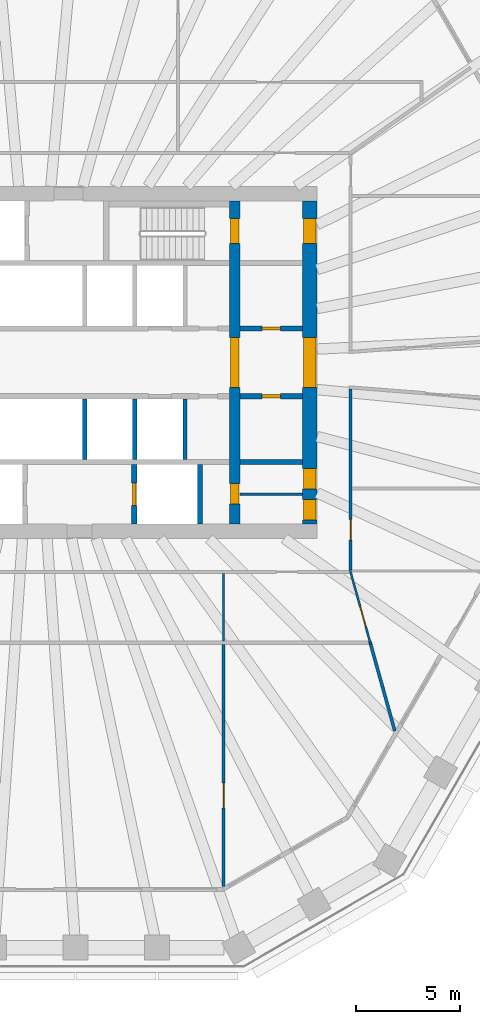
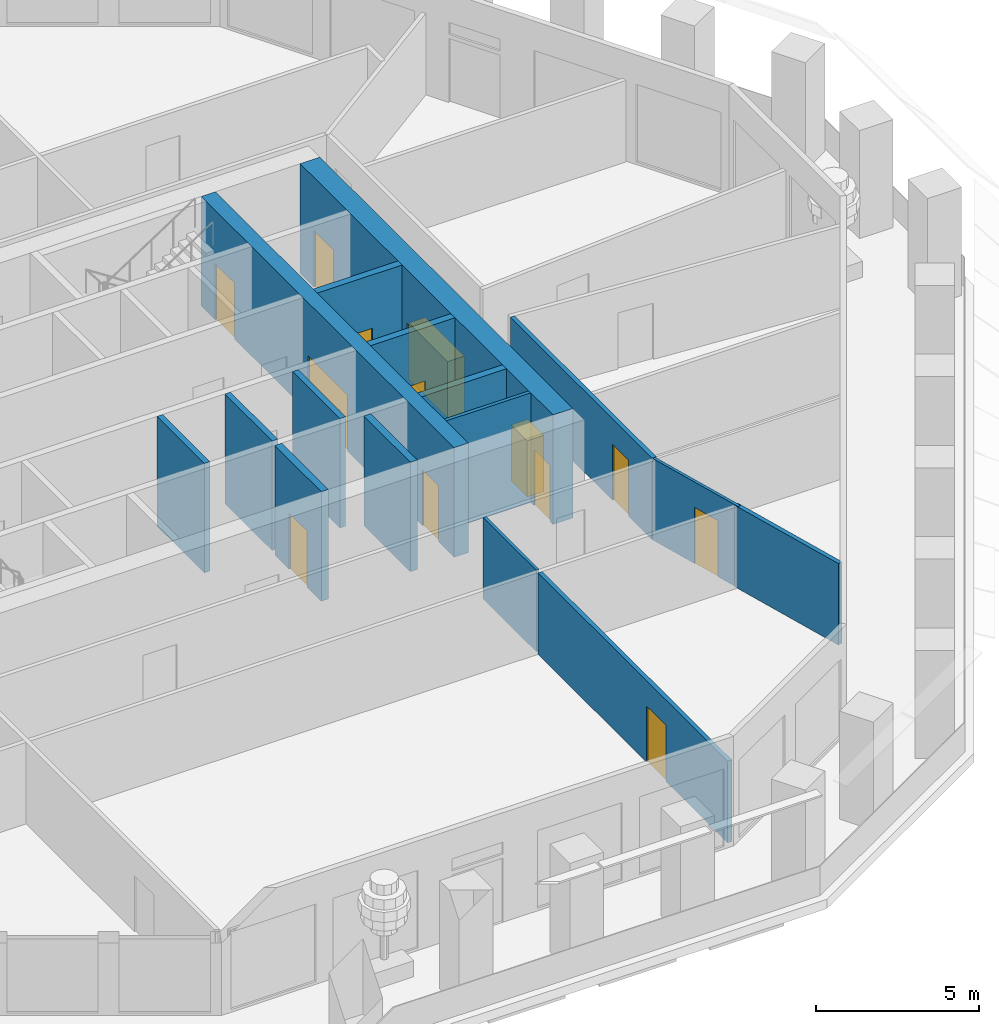
# One storey, part 5 of 12: 16 walls, 13 doors, 13 openings.
"""IFC4 building model written with IfcOpenShell, lengths in metres."""

from ifc_helpers import new_model, si_unit, direction, frame, frame_2d, origin, place, context, subcontext, project, spatial, rectangle, extrude, material, layer, layer_set, type_object, element, fill, save


model = new_model("IFC4")

# Units and contexts
model_context = context("Model", 3, precision=1e-05, world=origin(), true_north=direction((0.0, 1.0)))
body_context = subcontext(model_context, "Body", "Model", "MODEL_VIEW")
ifc_project = project(units=[si_unit("LENGTHUNIT", "METRE"), si_unit("AREAUNIT", "SQUARE_METRE"), si_unit("VOLUMEUNIT", "CUBIC_METRE"), si_unit("PLANEANGLEUNIT", "RADIAN"), si_unit("MASSUNIT", "GRAM", prefix="KILO")], contexts=[model_context])

# Site, building, storey
site_placement = place(None, origin())
site = spatial("IfcSite", under=ifc_project, at=site_placement, CompositionType="ELEMENT")
building_placement = place(site_placement, origin())
building = spatial("IfcBuilding", under=site, at=building_placement, Name="Frailejon Research Tower", CompositionType="ELEMENT")
storey_placement = place(building_placement, frame((0.0, 0.0, 193.60009765625)))
storey = spatial("IfcBuildingStorey", under=building, at=storey_placement, Name="L42", CompositionType="ELEMENT", Elevation=193.60009765625)

# Wall
ifc_material_1 = material(Name="Plasterboard on steel studs", Category="steel")
ifc_layer_1 = layer(ifc_material_1, 0.125)
ifc_layer_set_1 = layer_set([ifc_layer_1], Name="Core partition 125")
wall_type_1 = type_object("IfcWallType", Name="Core partition 125", PredefinedType="PARTITIONING", material=ifc_layer_set_1)
wall_1_placement = place(storey_placement, frame((9.85009765625, -6.324951171875, 0.0), z_axis=(0.0, 0.0, 1.0), x_axis=(1.0, 0.0, 0.0)))
element("IfcWall", 1, at=wall_1_placement, inside=storey, type_object=wall_type_1, Name="Core partition", PredefinedType="PARTITIONING", context=body_context, shape_type="SweptSolid", body=[
    extrude(rectangle(XDim=3.0, YDim=0.125, at=frame_2d((1.5, 0.0))), origin(), (0.0, 0.0, 1.0), 4.099853515625),
])

# Wall, openings, doors
ifc_material_2 = material(Name="Concrete C60/75", Category="concrete")
ifc_layer_2 = layer(ifc_material_2, 0.5)
ifc_layer_set_2 = layer_set([ifc_layer_2], Name="Core shear wall 500 C60/75")
wall_type_2 = type_object("IfcWallType", Name="Core shear wall 500 C60/75", PredefinedType="SHEAR", material=ifc_layer_set_2)
wall_2_placement = place(storey_placement, frame((9.60009765625, -7.75, 0.0), z_axis=(0.0, 0.0, 1.0), x_axis=(0.0, 1.0, 0.0)))
wall_2 = element("IfcWall", 2, at=wall_2_placement, inside=storey, type_object=wall_type_2, Name="Core shear wall", PredefinedType="SHEAR", context=body_context, shape_type="SweptSolid", body=[
    extrude(rectangle(XDim=15.5, YDim=0.5, at=frame_2d((7.75, 0.0))), origin(), (0.0, 0.0, 1.0), 4.099853515625),
])
opening_1_placement = place(wall_2_placement, frame((6.550048828125, 0.0, 0.0)))
opening_1 = element("IfcOpeningElement", 3, at=opening_1_placement, cuts=wall_2, Name="Opening D2", PredefinedType="OPENING", context=body_context, shape_type="SweptSolid", body=[
    extrude(rectangle(XDim=2.39990234375, YDim=2.10009765625, at=frame_2d((1.199951171875, 1.050048828125))), frame((0.0, 0.260009765625, 0.0), z_axis=(0.0, -1.0, 0.0), x_axis=(1.0, 0.0, 0.0)), (0.0, 0.0, 1.0), 0.52001953125),
])
opening_2_placement = place(wall_2_placement, frame((13.449951171875, 0.0, 0.0)))
opening_2 = element("IfcOpeningElement", 4, at=opening_2_placement, cuts=wall_2, Name="Opening D1", PredefinedType="OPENING", context=body_context, shape_type="SweptSolid", body=[
    extrude(rectangle(XDim=1.199951171875, YDim=2.10009765625, at=frame_2d((0.60009765625, 1.050048828125))), frame((0.0, 0.260009765625, 0.0), z_axis=(0.0, -1.0, 0.0), x_axis=(1.0, 0.0, 0.0)), (0.0, 0.0, 1.0), 0.52001953125),
])
opening_3_placement = place(wall_2_placement, frame((0.949951171875, 0.0, 0.0)))
opening_3 = element("IfcOpeningElement", 5, at=opening_3_placement, cuts=wall_2, Name="Opening D4", PredefinedType="OPENING", context=body_context, shape_type="SweptSolid", body=[
    extrude(rectangle(XDim=1.0, YDim=2.10009765625, at=frame_2d((0.5, 1.050048828125))), frame((0.0, 0.260009765625, 0.0), z_axis=(0.0, -1.0, 0.0), x_axis=(1.0, 0.0, 0.0)), (0.0, 0.0, 1.0), 0.52001953125),
])
ifc_material_3 = material(Name="Steel", Category="steel")
door_type_1 = type_object("IfcDoorType", Name="Lobby double door", OperationType="DOUBLE_DOOR_SINGLE_SWING", PredefinedType="DOOR", material=ifc_material_3)
door_1_placement = place(opening_1_placement, origin())
door_1 = element("IfcDoor", 6, at=door_1_placement, inside=storey, type_object=door_type_1, Name="Lobby door", OperationType="DOUBLE_DOOR_SINGLE_SWING", OverallHeight=2.10009765625, OverallWidth=2.39990234375, PredefinedType="DOOR", context=body_context, shape_type="SweptSolid", body=[
    extrude(rectangle(XDim=2.39990234375, YDim=2.10009765625, at=frame_2d((1.199951171875, 1.050048828125))), frame((0.0, 0.199951171875, 0.0), z_axis=(0.0, -1.0, 0.0), x_axis=(1.0, 0.0, 0.0)), (0.0, 0.0, 1.0), 0.39990234375),
])
fill(opening_1, door_1)
ifc_material_4 = material(Name="Steel", Category="steel")
door_type_2 = type_object("IfcDoorType", Name="Service door", OperationType="SINGLE_SWING_LEFT", PredefinedType="DOOR", material=ifc_material_4)
door_2_placement = place(opening_3_placement, origin())
door_2 = element("IfcDoor", 7, at=door_2_placement, inside=storey, type_object=door_type_2, Name="Riser door", OperationType="SINGLE_SWING_LEFT", OverallHeight=2.10009765625, OverallWidth=1.0, PredefinedType="DOOR", context=body_context, shape_type="SweptSolid", body=[
    extrude(rectangle(XDim=1.0, YDim=2.10009765625, at=frame_2d((0.5, 1.050048828125))), frame((0.0, 0.199951171875, 0.0), z_axis=(0.0, -1.0, 0.0), x_axis=(1.0, 0.0, 0.0)), (0.0, 0.0, 1.0), 0.39990234375),
])
fill(opening_3, door_2)
ifc_material_5 = material(Name="Steel", Category="steel")
door_type_3 = type_object("IfcDoorType", Name="Stair door", OperationType="SINGLE_SWING_LEFT", PredefinedType="DOOR", material=ifc_material_5)
door_3_placement = place(opening_2_placement, origin())
door_3 = element("IfcDoor", 8, at=door_3_placement, inside=storey, type_object=door_type_3, Name="Stair door ST3", OperationType="SINGLE_SWING_LEFT", OverallHeight=2.10009765625, OverallWidth=1.199951171875, PredefinedType="DOOR", context=body_context, shape_type="SweptSolid", body=[
    extrude(rectangle(XDim=1.199951171875, YDim=2.10009765625, at=frame_2d((0.60009765625, 1.050048828125))), frame((0.0, 0.199951171875, 0.0), z_axis=(0.0, -1.0, 0.0), x_axis=(1.0, 0.0, 0.0)), (0.0, 0.0, 1.0), 0.39990234375),
])
fill(opening_2, door_3)

ifc_material_6 = material(Name="Concrete C60/75", Category="concrete")
ifc_layer_3 = layer(ifc_material_6, 0.699951171875)
ifc_layer_set_3 = layer_set([ifc_layer_3], Name="Core shear wall 700 C60/75")
wall_type_3 = type_object("IfcWallType", Name="Core shear wall 700 C60/75", PredefinedType="SHEAR", material=ifc_layer_set_3)
wall_3_placement = place(storey_placement, frame((13.199951171875, -7.75, 0.0), z_axis=(0.0, 0.0, 1.0), x_axis=(0.0, 1.0, 0.0)))
wall_3 = element("IfcWall", 9, at=wall_3_placement, inside=storey, type_object=wall_type_3, Name="Core shear wall", PredefinedType="SHEAR", context=body_context, shape_type="SweptSolid", body=[
    extrude(rectangle(XDim=15.5, YDim=0.699951171875, at=frame_2d((7.75, 0.0))), origin(), (0.0, 0.0, 1.0), 4.099853515625),
])
opening_4_placement = place(wall_3_placement, frame((6.550048828125, 0.0, 0.0)))
opening_4 = element("IfcOpeningElement", 10, at=opening_4_placement, cuts=wall_3, Name="Opening D2", PredefinedType="OPENING", context=body_context, shape_type="SweptSolid", body=[
    extrude(rectangle(XDim=2.39990234375, YDim=2.10009765625, at=frame_2d((1.199951171875, 1.050048828125))), frame((0.0, 0.35986328125, 0.0), z_axis=(0.0, -1.0, 0.0), x_axis=(1.0, 0.0, 0.0)), (0.0, 0.0, 1.0), 0.719970703125),
])
opening_5_placement = place(wall_3_placement, frame((13.449951171875, 0.0, 0.0)))
opening_5 = element("IfcOpeningElement", 11, at=opening_5_placement, cuts=wall_3, Name="Opening D7", PredefinedType="OPENING", context=body_context, shape_type="SweptSolid", body=[
    extrude(rectangle(XDim=1.199951171875, YDim=2.10009765625, at=frame_2d((0.60009765625, 1.050048828125))), frame((0.0, 0.35986328125, 0.0), z_axis=(0.0, -1.0, 0.0), x_axis=(1.0, 0.0, 0.0)), (0.0, 0.0, 1.0), 0.719970703125),
])
opening_6_placement = place(wall_3_placement, frame((0.181396484375, 0.0, 0.0)))
opening_6 = element("IfcOpeningElement", 12, at=opening_6_placement, cuts=wall_3, Name="Opening D4", PredefinedType="OPENING", context=body_context, shape_type="SweptSolid", body=[
    extrude(rectangle(XDim=1.0, YDim=2.10009765625, at=frame_2d((0.5, 1.050048828125))), frame((0.0, 0.35986328125, 0.0), z_axis=(0.0, -1.0, 0.0), x_axis=(1.0, 0.0, 0.0)), (0.0, 0.0, 1.0), 0.719970703125),
])
opening_7_placement = place(wall_3_placement, frame((1.668701171875, 0.0, 0.0)))
opening_7 = element("IfcOpeningElement", 13, at=opening_7_placement, cuts=wall_3, Name="Opening D4", PredefinedType="OPENING", context=body_context, shape_type="SweptSolid", body=[
    extrude(rectangle(XDim=1.0, YDim=2.10009765625, at=frame_2d((0.5, 1.050048828125))), frame((0.0, 0.35986328125, 0.0), z_axis=(0.0, -1.0, 0.0), x_axis=(1.0, 0.0, 0.0)), (0.0, 0.0, 1.0), 0.719970703125),
])
door_4_placement = place(opening_4_placement, origin())
door_4 = element("IfcDoor", 14, at=door_4_placement, inside=storey, type_object=door_type_1, Name="Lobby door", OperationType="DOUBLE_DOOR_SINGLE_SWING", OverallHeight=2.10009765625, OverallWidth=2.39990234375, PredefinedType="DOOR", context=body_context, shape_type="SweptSolid", body=[
    extrude(rectangle(XDim=2.39990234375, YDim=2.10009765625, at=frame_2d((1.199951171875, 1.050048828125))), frame((0.0, 0.300048828125, 0.0), z_axis=(0.0, -1.0, 0.0), x_axis=(1.0, 0.0, 0.0)), (0.0, 0.0, 1.0), 0.60009765625),
])
fill(opening_4, door_4)
door_5_placement = place(opening_6_placement, origin())
door_5 = element("IfcDoor", 15, at=door_5_placement, inside=storey, type_object=door_type_2, Name="Store door", OperationType="SINGLE_SWING_RIGHT", OverallHeight=2.10009765625, OverallWidth=1.0, PredefinedType="DOOR", context=body_context, shape_type="SweptSolid", body=[
    extrude(rectangle(XDim=1.0, YDim=2.10009765625, at=frame_2d((0.5, 1.050048828125))), frame((0.0, 0.300048828125, 0.0), z_axis=(0.0, -1.0, 0.0), x_axis=(1.0, 0.0, 0.0)), (0.0, 0.0, 1.0), 0.60009765625),
])
fill(opening_6, door_5)
door_6_placement = place(opening_7_placement, origin())
door_6 = element("IfcDoor", 16, at=door_6_placement, inside=storey, type_object=door_type_2, Name="Store door", OperationType="SINGLE_SWING_LEFT", OverallHeight=2.10009765625, OverallWidth=1.0, PredefinedType="DOOR", context=body_context, shape_type="SweptSolid", body=[
    extrude(rectangle(XDim=1.0, YDim=2.10009765625, at=frame_2d((0.5, 1.050048828125))), frame((0.0, 0.300048828125, 0.0), z_axis=(0.0, -1.0, 0.0), x_axis=(1.0, 0.0, 0.0)), (0.0, 0.0, 1.0), 0.60009765625),
])
fill(opening_7, door_6)
ifc_material_7 = material(Name="Steel", Category="steel")
door_type_4 = type_object("IfcDoorType", Name="Stair exit door", OperationType="SINGLE_SWING_LEFT", PredefinedType="DOOR", material=ifc_material_7)
door_7_placement = place(opening_5_placement, origin())
door_7 = element("IfcDoor", 17, at=door_7_placement, inside=storey, type_object=door_type_4, Name="Stair exit door ST3", OperationType="SINGLE_SWING_RIGHT", OverallHeight=2.10009765625, OverallWidth=1.199951171875, PredefinedType="DOOR", context=body_context, shape_type="SweptSolid", body=[
    extrude(rectangle(XDim=1.199951171875, YDim=2.10009765625, at=frame_2d((0.60009765625, 1.050048828125))), frame((0.0, 0.300048828125, 0.0), z_axis=(0.0, -1.0, 0.0), x_axis=(1.0, 0.0, 0.0)), (0.0, 0.0, 1.0), 0.60009765625),
])
fill(opening_5, door_7)

# Wall, opening, door
ifc_material_8 = material(Name="Gypsum board and masonry partition", Category="masonry")
ifc_layer_4 = layer(ifc_material_8, 0.14990234375)
ifc_layer_set_4 = layer_set([ifc_layer_4], Name="Corridor wall EI 60, gypsum on steel studs 150")
wall_type_4 = type_object("IfcWallType", Name="Corridor wall EI 60, gypsum on steel studs 150", PredefinedType="PARTITIONING", material=ifc_layer_set_4)
wall_4_placement = place(storey_placement, frame((15.14990234375, -9.96630859375, 0.0), z_axis=(0.0, 0.0, 1.0), x_axis=(0.0, 1.0, 0.0)))
wall_4 = element("IfcWall", 18, at=wall_4_placement, inside=storey, type_object=wall_type_4, Name="T:IW:L42:001", PredefinedType="PARTITIONING", context=body_context, shape_type="SweptSolid", body=[
    extrude(rectangle(XDim=8.69189453125, YDim=0.14990234375, at=frame_2d((4.345947265625, 0.0))), origin(), (0.0, 0.0, 1.0), 3.0498046875),
])
opening_8_placement = place(wall_4_placement, frame((1.43359375, 0.0, 0.0)))
opening_8 = element("IfcOpeningElement", 19, at=opening_8_placement, cuts=wall_4, Name="Opening D1921", PredefinedType="OPENING", context=body_context, shape_type="SweptSolid", body=[
    extrude(rectangle(XDim=1.0, YDim=2.10009765625, at=frame_2d((0.5, 1.050048828125))), frame((0.0, 0.0849609375, 0.0), z_axis=(0.0, -1.0, 0.0), x_axis=(1.0, 0.0, 0.0)), (0.0, 0.0, 1.0), 0.169921875),
])
ifc_material_9 = material(Name="Timber door leaf", Category="wood")
door_type_5 = type_object("IfcDoorType", Name="Door single leaf, timber, steel frame 1000", OperationType="NOTDEFINED", PredefinedType="DOOR", material=ifc_material_9)
door_8_placement = place(opening_8_placement, origin())
door_8 = element("IfcDoor", 20, at=door_8_placement, inside=storey, type_object=door_type_5, Name="D1921", OperationType="SINGLE_SWING_RIGHT", OverallHeight=2.10009765625, OverallWidth=1.0, PredefinedType="DOOR", context=body_context, shape_type="SweptSolid", body=[
    extrude(rectangle(XDim=1.0, YDim=2.10009765625, at=frame_2d((0.5, 1.050048828125))), frame((0.0, 0.02490234375, 0.0), z_axis=(0.0, -1.0, 0.0), x_axis=(1.0, 0.0, 0.0)), (0.0, 0.0, 1.0), 0.050048828125),
])
fill(opening_8, door_8)

ifc_material_10 = material(Name="Gypsum board and masonry partition", Category="masonry")
ifc_layer_5 = layer(ifc_material_10, 0.14990234375)
ifc_layer_set_5 = layer_set([ifc_layer_5], Name="Laboratory partition, blockwork 150")
wall_type_5 = type_object("IfcWallType", Name="Laboratory partition, blockwork 150", PredefinedType="PARTITIONING", material=ifc_layer_set_5)
wall_5_placement = place(storey_placement, frame((9.05810546875, -25.15185546875, 0.0), z_axis=(0.0, 0.0, 1.0), x_axis=(0.0, 1.0, 0.0)))
wall_5 = element("IfcWall", 21, at=wall_5_placement, inside=storey, type_object=wall_type_5, Name="T:IW:L42:021", PredefinedType="PARTITIONING", context=body_context, shape_type="SweptSolid", body=[
    extrude(rectangle(XDim=11.626953125, YDim=0.14990234375, at=frame_2d((5.8134765625, 0.0))), origin(), (0.0, 0.0, 1.0), 3.0498046875),
])
opening_9_placement = place(wall_5_placement, frame((3.780517578125, 0.0, 0.0)))
opening_9 = element("IfcOpeningElement", 22, at=opening_9_placement, cuts=wall_5, Name="Opening D1918", PredefinedType="OPENING", context=body_context, shape_type="SweptSolid", body=[
    extrude(rectangle(XDim=1.199951171875, YDim=2.10009765625, at=frame_2d((0.60009765625, 1.050048828125))), frame((0.0, 0.0849609375, 0.0), z_axis=(0.0, -1.0, 0.0), x_axis=(1.0, 0.0, 0.0)), (0.0, 0.0, 1.0), 0.169921875),
])
ifc_material_11 = material(Name="Timber door leaf", Category="wood")
door_type_6 = type_object("IfcDoorType", Name="Door laboratory, timber, vision panel 1200", OperationType="NOTDEFINED", PredefinedType="DOOR", material=ifc_material_11)
door_9_placement = place(opening_9_placement, origin())
door_9 = element("IfcDoor", 23, at=door_9_placement, inside=storey, type_object=door_type_6, Name="D1918", OperationType="DOUBLE_DOOR_SINGLE_SWING", OverallHeight=2.10009765625, OverallWidth=1.199951171875, PredefinedType="DOOR", context=body_context, shape_type="SweptSolid", body=[
    extrude(rectangle(XDim=1.199951171875, YDim=2.10009765625, at=frame_2d((0.60009765625, 1.050048828125))), frame((0.0, 0.02490234375, 0.0), z_axis=(0.0, -1.0, 0.0), x_axis=(1.0, 0.0, 0.0)), (0.0, 0.0, 1.0), 0.050048828125),
])
fill(opening_9, door_9)

# Walls
wall_6_placement = place(storey_placement, frame((16.075927734375, -13.377685546875, 0.0), z_axis=(0.0, 0.0, 1.0), x_axis=(0.268117368294, -0.963386255257, 0.0)))
element("IfcWall", 24, at=wall_6_placement, inside=storey, type_object=wall_type_5, Name="T:IW:L42:022", PredefinedType="PARTITIONING", context=body_context, shape_type="SweptSolid", body=[
    extrude(rectangle(XDim=4.46728515625, YDim=0.14990234375, at=frame_2d((2.233642578125, 0.0))), origin(), (0.0, 0.0, 1.0), 3.0498046875),
])
ifc_material_12 = material(Name="Gypsum board and masonry partition", Category="masonry")
ifc_layer_6 = layer(ifc_material_12, 0.10009765625)
ifc_layer_set_6 = layer_set([ifc_layer_6], Name="Partition, gypsum on steel studs 100")
wall_type_6 = type_object("IfcWallType", Name="Partition, gypsum on steel studs 100", PredefinedType="PARTITIONING", material=ifc_layer_set_6)
wall_7_placement = place(storey_placement, frame((9.05810546875, -13.375, 0.0), z_axis=(0.0, 0.0, 1.0), x_axis=(0.0, 1.0, 0.0)))
element("IfcWall", 25, at=wall_7_placement, inside=storey, type_object=wall_type_6, Name="T:IW:L42:027", PredefinedType="PARTITIONING", context=body_context, shape_type="SweptSolid", body=[
    extrude(rectangle(XDim=3.25, YDim=0.10009765625, at=frame_2d((1.625, 0.0))), origin(), (0.0, 0.0, 1.0), 3.0498046875),
])

# Wall, opening, door
wall_8_placement = place(storey_placement, frame((15.1298828125, -9.977783203125, 0.0), z_axis=(0.0, 0.0, 1.0), x_axis=(0.268088761136, -0.963394216379, 0.0)))
wall_8 = element("IfcWall", 26, at=wall_8_placement, inside=storey, type_object=wall_type_6, Name="T:IW:L42:028", PredefinedType="PARTITIONING", context=body_context, shape_type="SweptSolid", body=[
    extrude(rectangle(XDim=3.67919921875, YDim=0.10009765625, at=frame_2d((1.839599609375, 0.0))), origin(), (0.0, 0.0, 1.0), 3.0498046875),
])
opening_10_placement = place(wall_8_placement, frame((1.796875, 0.0, 0.0)))
opening_10 = element("IfcOpeningElement", 27, at=opening_10_placement, cuts=wall_8, Name="Opening D1920", PredefinedType="OPENING", context=body_context, shape_type="SweptSolid", body=[
    extrude(rectangle(XDim=1.0, YDim=2.10009765625, at=frame_2d((0.5, 1.050048828125))), frame((0.0, 0.06005859375, 0.0), z_axis=(0.0, -1.0, 0.0), x_axis=(1.0, 0.0, 0.0)), (0.0, 0.0, 1.0), 0.1201171875),
])
door_10_placement = place(opening_10_placement, origin())
door_10 = element("IfcDoor", 28, at=door_10_placement, inside=storey, type_object=door_type_5, Name="D1920", OperationType="SINGLE_SWING_RIGHT", OverallHeight=2.10009765625, OverallWidth=1.0, PredefinedType="DOOR", context=body_context, shape_type="SweptSolid", body=[
    extrude(rectangle(XDim=1.0, YDim=2.10009765625, at=frame_2d((0.5, 1.050048828125))), frame((0.0, 0.02490234375, 0.0), z_axis=(0.0, -1.0, 0.0), x_axis=(1.0, 0.0, 0.0)), (0.0, 0.0, 1.0), 0.050048828125),
])
fill(opening_10, door_10)

# Walls
ifc_material_13 = material(Name="Concrete C60/75", Category="concrete")
ifc_layer_7 = layer(ifc_material_13, 0.199951171875)
ifc_layer_set_7 = layer_set([ifc_layer_7], Name="Shaft wall 200 C60/75")
wall_type_7 = type_object("IfcWallType", Name="Shaft wall 200 C60/75", PredefinedType="SOLIDWALL", material=ifc_layer_set_7)
for number, where, z_axis, x_axis, name in (
    (29, (2.39990234375, -4.64990234375, 0.0), (0.0, 0.0, 1.0), (0.0, 1.0, 0.0), "Shaft wall"),
    (30, (4.800048828125, -4.64990234375, 0.0), (0.0, 0.0, 1.0), (0.0, 1.0, 0.0), "Shaft wall"),
    (31, (7.199951171875, -4.64990234375, 0.0), (0.0, 0.0, 1.0), (0.0, 1.0, 0.0), "Shaft wall"),
):
    element("IfcWall", number, at=place(storey_placement, frame(where, z_axis=z_axis, x_axis=x_axis)), inside=storey, type_object=wall_type_7, Name=name, PredefinedType="SOLIDWALL", context=body_context, shape_type="SweptSolid", body=[
        extrude(rectangle(XDim=2.89990234375, YDim=0.199951171875, at=frame_2d((1.449951171875, 0.0))), origin(), (0.0, 0.0, 1.0), 4.099853515625),
    ])

# Wall, opening, door
ifc_material_14 = material(Name="Concrete C60/75", Category="concrete")
ifc_layer_8 = layer(ifc_material_14, 0.25)
ifc_layer_set_8 = layer_set([ifc_layer_8], Name="Shaft wall 250 C60/75")
wall_type_8 = type_object("IfcWallType", Name="Shaft wall 250 C60/75", PredefinedType="SOLIDWALL", material=ifc_layer_set_8)
wall_9_placement = place(storey_placement, frame((9.85009765625, 1.625, 0.0), z_axis=(0.0, 0.0, 1.0), x_axis=(1.0, 0.0, 0.0)))
wall_9 = element("IfcWall", 32, at=wall_9_placement, inside=storey, type_object=wall_type_8, Name="Shaft wall", PredefinedType="SOLIDWALL", context=body_context, shape_type="SweptSolid", body=[
    extrude(rectangle(XDim=3.0, YDim=0.25, at=frame_2d((1.5, 0.0))), origin(), (0.0, 0.0, 1.0), 4.099853515625),
])
opening_11_placement = place(wall_9_placement, frame((1.050048828125, 0.0, 0.0)))
opening_11 = element("IfcOpeningElement", 33, at=opening_11_placement, cuts=wall_9, Name="Opening D8", PredefinedType="OPENING", context=body_context, shape_type="SweptSolid", body=[
    extrude(rectangle(XDim=0.89990234375, YDim=2.10009765625, at=frame_2d((0.449951171875, 1.050048828125))), frame((0.0, 0.135009765625, 0.0), z_axis=(0.0, -1.0, 0.0), x_axis=(1.0, 0.0, 0.0)), (0.0, 0.0, 1.0), 0.27001953125),
])
ifc_material_15 = material(Name="Steel", Category="steel")
door_type_7 = type_object("IfcDoorType", Name="Core room door", OperationType="SINGLE_SWING_LEFT", PredefinedType="DOOR", material=ifc_material_15)
door_11_placement = place(opening_11_placement, origin())
door_11 = element("IfcDoor", 34, at=door_11_placement, inside=storey, type_object=door_type_7, Name="Room door", OperationType="SINGLE_SWING_RIGHT", OverallHeight=2.10009765625, OverallWidth=0.89990234375, PredefinedType="DOOR", context=body_context, shape_type="SweptSolid", body=[
    extrude(rectangle(XDim=0.89990234375, YDim=2.10009765625, at=frame_2d((0.449951171875, 1.050048828125))), frame((0.0, 0.074951171875, 0.0), z_axis=(0.0, -1.0, 0.0), x_axis=(1.0, 0.0, 0.0)), (0.0, 0.0, 1.0), 0.14990234375),
])
fill(opening_11, door_11)

wall_10_placement = place(storey_placement, frame((9.85009765625, -1.625, 0.0), z_axis=(0.0, 0.0, 1.0), x_axis=(1.0, 0.0, 0.0)))
wall_10 = element("IfcWall", 35, at=wall_10_placement, inside=storey, type_object=wall_type_8, Name="Shaft wall", PredefinedType="SOLIDWALL", context=body_context, shape_type="SweptSolid", body=[
    extrude(rectangle(XDim=3.0, YDim=0.25, at=frame_2d((1.5, 0.0))), origin(), (0.0, 0.0, 1.0), 4.099853515625),
])
opening_12_placement = place(wall_10_placement, frame((1.050048828125, 0.0, 0.0)))
opening_12 = element("IfcOpeningElement", 36, at=opening_12_placement, cuts=wall_10, Name="Opening D8", PredefinedType="OPENING", context=body_context, shape_type="SweptSolid", body=[
    extrude(rectangle(XDim=0.89990234375, YDim=2.10009765625, at=frame_2d((0.449951171875, 1.050048828125))), frame((0.0, 0.135009765625, 0.0), z_axis=(0.0, -1.0, 0.0), x_axis=(1.0, 0.0, 0.0)), (0.0, 0.0, 1.0), 0.27001953125),
])
door_12_placement = place(opening_12_placement, origin())
door_12 = element("IfcDoor", 37, at=door_12_placement, inside=storey, type_object=door_type_7, Name="Room door", OperationType="SINGLE_SWING_LEFT", OverallHeight=2.10009765625, OverallWidth=0.89990234375, PredefinedType="DOOR", context=body_context, shape_type="SweptSolid", body=[
    extrude(rectangle(XDim=0.89990234375, YDim=2.10009765625, at=frame_2d((0.449951171875, 1.050048828125))), frame((0.0, 0.074951171875, 0.0), z_axis=(0.0, -1.0, 0.0), x_axis=(1.0, 0.0, 0.0)), (0.0, 0.0, 1.0), 0.14990234375),
])
fill(opening_12, door_12)

# Wall
wall_11_placement = place(storey_placement, frame((9.85009765625, -4.77490234375, 0.0), z_axis=(0.0, 0.0, 1.0), x_axis=(1.0, 0.0, 0.0)))
element("IfcWall", 38, at=wall_11_placement, inside=storey, type_object=wall_type_8, Name="Shaft wall", PredefinedType="SOLIDWALL", context=body_context, shape_type="SweptSolid", body=[
    extrude(rectangle(XDim=3.0, YDim=0.25, at=frame_2d((1.5, 0.0))), origin(), (0.0, 0.0, 1.0), 4.099853515625),
])

# Wall, opening, door
wall_12_placement = place(storey_placement, frame((4.77490234375, -7.75, 0.0), z_axis=(0.0, 0.0, 1.0), x_axis=(0.0, 1.0, 0.0)))
wall_12 = element("IfcWall", 39, at=wall_12_placement, inside=storey, type_object=wall_type_8, Name="Shaft wall", PredefinedType="SOLIDWALL", context=body_context, shape_type="SweptSolid", body=[
    extrude(rectangle(XDim=2.85009765625, YDim=0.25, at=frame_2d((1.425048828125, 0.0))), origin(), (0.0, 0.0, 1.0), 4.099853515625),
])
opening_13_placement = place(wall_12_placement, frame((0.875, 0.0, 0.0)))
opening_13 = element("IfcOpeningElement", 40, at=opening_13_placement, cuts=wall_12, Name="Opening LD", PredefinedType="OPENING", context=body_context, shape_type="SweptSolid", body=[
    extrude(rectangle(XDim=1.10009765625, YDim=2.10009765625, at=frame_2d((0.550048828125, 1.050048828125))), frame((0.0, 0.135009765625, 0.0), z_axis=(0.0, -1.0, 0.0), x_axis=(1.0, 0.0, 0.0)), (0.0, 0.0, 1.0), 0.27001953125),
])
ifc_material_16 = material(Name="Steel", Category="steel")
door_type_8 = type_object("IfcDoorType", Name="Lift landing door", OperationType="DOUBLE_DOOR_SLIDING", PredefinedType="DOOR", material=ifc_material_16)
door_13_placement = place(opening_13_placement, origin())
door_13 = element("IfcDoor", 41, at=door_13_placement, inside=storey, type_object=door_type_8, Name="Lift landing door", OperationType="DOUBLE_DOOR_SLIDING", OverallHeight=2.10009765625, OverallWidth=1.10009765625, PredefinedType="DOOR", context=body_context, shape_type="SweptSolid", body=[
    extrude(rectangle(XDim=1.10009765625, YDim=2.10009765625, at=frame_2d((0.550048828125, 1.050048828125))), frame((0.0, 0.074951171875, 0.0), z_axis=(0.0, -1.0, 0.0), x_axis=(1.0, 0.0, 0.0)), (0.0, 0.0, 1.0), 0.14990234375),
])
fill(opening_13, door_13)

# Wall
wall_13_placement = place(storey_placement, frame((7.925048828125, -7.75, 0.0), z_axis=(0.0, 0.0, 1.0), x_axis=(0.0, 1.0, 0.0)))
element("IfcWall", 42, at=wall_13_placement, inside=storey, type_object=wall_type_8, Name="Shaft wall", PredefinedType="SOLIDWALL", context=body_context, shape_type="SweptSolid", body=[
    extrude(rectangle(XDim=2.85009765625, YDim=0.25, at=frame_2d((1.425048828125, 0.0))), origin(), (0.0, 0.0, 1.0), 4.099853515625),
])

save(model, "model.ifc")
